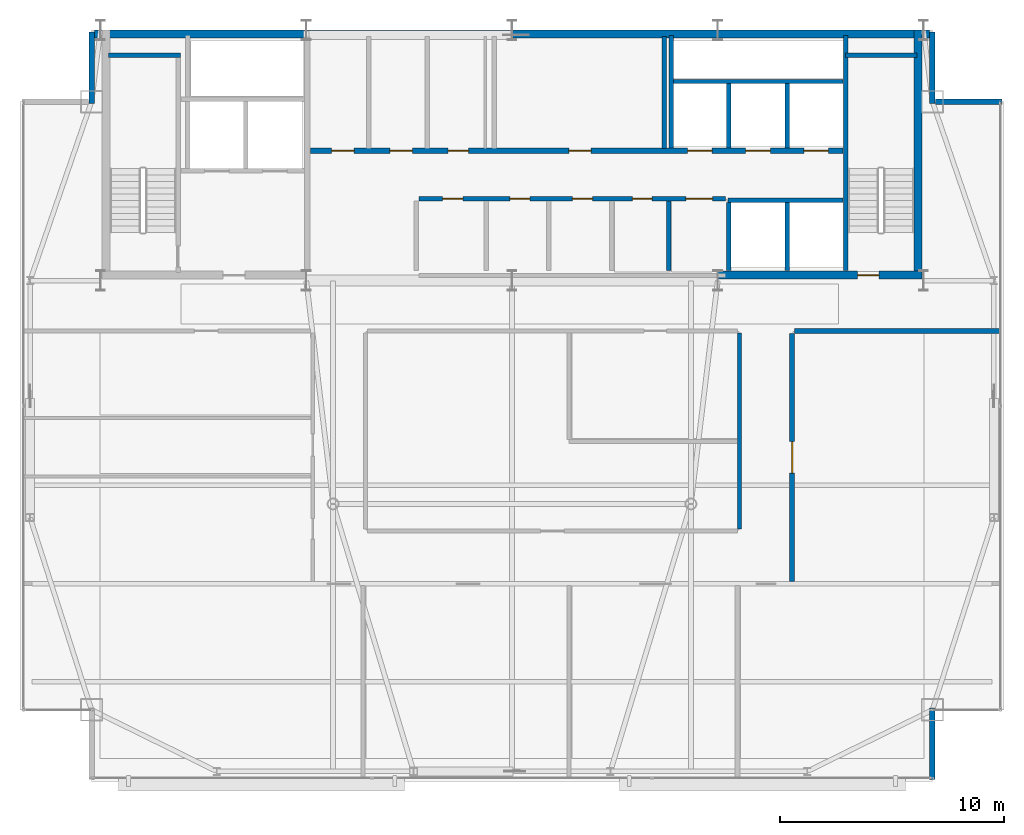
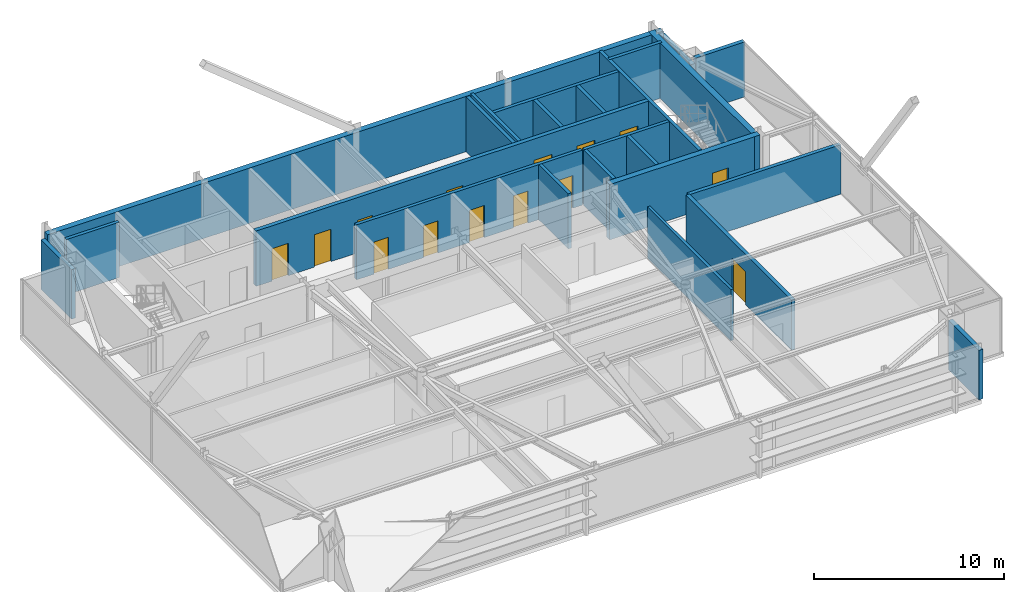
# One storey, part 22 of 24: 24 walls, 14 doors, 14 openings.
"""IFC4 building model written with IfcOpenShell, lengths in metres."""

from ifc_helpers import new_model, si_unit, direction, frame, frame_2d, origin, place, context, subcontext, project, spatial, rectangle, extrude, source, transform, mapped, material, layer, layer_set, type_object, type_shapes, element, fill, save


model = new_model("IFC4")

# Units and contexts
model_context = context("Model", 3, precision=1e-05, world=origin(), true_north=direction((0.0, 1.0)))
body_context = subcontext(model_context, "Body", "Model", "MODEL_VIEW")
ifc_project = project(units=[si_unit("LENGTHUNIT", "METRE"), si_unit("AREAUNIT", "SQUARE_METRE"), si_unit("VOLUMEUNIT", "CUBIC_METRE"), si_unit("PLANEANGLEUNIT", "RADIAN"), si_unit("MASSUNIT", "GRAM", prefix="KILO")], contexts=[model_context])

# Site, building, storey
site_placement = place(None, origin())
site = spatial("IfcSite", under=ifc_project, at=site_placement, CompositionType="ELEMENT")
building_placement = place(site_placement, origin())
building = spatial("IfcBuilding", under=site, at=building_placement, Name="Varnel Quay Broadcast Tower", CompositionType="ELEMENT")
storey_placement = place(building_placement, frame((0.0, 0.0, 262.199951171875)))
storey = spatial("IfcBuildingStorey", under=building, at=storey_placement, Name="L65", CompositionType="ELEMENT", Elevation=262.199951171875)

# Walls
ifc_material_1 = material(Name="Concrete CSA A23.3 C50/60", Category="concrete")
ifc_layer_1 = layer(ifc_material_1, 0.199951171875, Name="Concrete CSA A23.3 C50/60")
ifc_layer_set_1 = layer_set([ifc_layer_1], Name="Concrete CSA A23.3 C50/60")
wall_type_1 = type_object("IfcWallType", Name="Wall_CoreShaftShear200", PredefinedType="SHEAR", material=ifc_layer_set_1)
wall_1_placement = place(storey_placement, frame((15.949951171875, 45.679931640625, 0.0), z_axis=(0.0, 0.0, 1.0), x_axis=(1.0, 0.0, 0.0)))
element("IfcWall", 1, at=wall_1_placement, inside=storey, type_object=wall_type_1, Name="L65 Stair 1 North Structural Wall", PredefinedType="SHEAR", context=body_context, shape_type="SweptSolid", body=[
    extrude(rectangle(XDim=3.22998046875, YDim=0.199951171875, at=frame_2d((1.614990234375, 0.0))), origin(), (0.0, 0.0, 1.0), 3.550048828125),
])
wall_2_placement = place(storey_placement, frame((48.919921875, 36.050048828125, 0.0), z_axis=(0.0, 0.0, 1.0), x_axis=(0.0, 1.0, 0.0)))
element("IfcWall", 2, at=wall_2_placement, inside=storey, type_object=wall_type_1, Name="L65 Stair 2 West Structural Wall", PredefinedType="SHEAR", context=body_context, shape_type="SweptSolid", body=[
    extrude(rectangle(XDim=10.5, YDim=0.199951171875, at=frame_2d((5.25, 0.0))), origin(), (0.0, 0.0, 1.0), 3.550048828125),
])
wall_3_placement = place(storey_placement, frame((48.919921875, 45.679931640625, 0.0), z_axis=(0.0, 0.0, 1.0), x_axis=(1.0, 0.0, 0.0)))
element("IfcWall", 3, at=wall_3_placement, inside=storey, type_object=wall_type_1, Name="L65 Stair 2 North Structural Wall", PredefinedType="SHEAR", context=body_context, shape_type="SweptSolid", body=[
    extrude(rectangle(XDim=3.18017578125, YDim=0.199951171875, at=frame_2d((1.590087890625, 0.0))), origin(), (0.0, 0.0, 1.0), 3.550048828125),
])
wall_4_placement = place(storey_placement, frame((41.219970703125, 44.5, 0.0), z_axis=(0.0, 0.0, 1.0), x_axis=(1.0, 0.0, 0.0)))
element("IfcWall", 4, at=wall_4_placement, inside=storey, type_object=wall_type_1, Name="L65 High-Rise Lift Shaft Rear Wall", PredefinedType="SHEAR", context=body_context, shape_type="SweptSolid", body=[
    extrude(rectangle(XDim=7.580078125, YDim=0.199951171875, at=frame_2d((3.7900390625, 0.0))), origin(), (0.0, 0.0, 1.0), 3.550048828125),
])
wall_5_placement = place(storey_placement, frame((41.1201171875, 41.530029296875, 0.0), z_axis=(0.0, 0.0, 1.0), x_axis=(0.0, 1.0, 0.0)))
element("IfcWall", 5, at=wall_5_placement, inside=storey, type_object=wall_type_1, Name="L65 High-Rise Lift Shaft Divider 1", PredefinedType="SHEAR", context=body_context, shape_type="SweptSolid", body=[
    extrude(rectangle(XDim=5.02001953125, YDim=0.199951171875, at=frame_2d((2.510009765625, 0.0))), origin(), (0.0, 0.0, 1.0), 3.550048828125),
])
for number, where, z_axis, x_axis, name in (
    (6, (43.699951171875, 41.530029296875, 0.0), (0.0, 0.0, 1.0), (0.0, 1.0, 0.0), "L65 High-Rise Lift Shaft Divider 2"),
    (7, (46.300048828125, 41.530029296875, 0.0), (0.0, 0.0, 1.0), (0.0, 1.0, 0.0), "L65 High-Rise Lift Shaft Divider 3"),
):
    element("IfcWall", number, at=place(storey_placement, frame(where, z_axis=z_axis, x_axis=x_axis)), inside=storey, type_object=wall_type_1, Name=name, PredefinedType="SHEAR", context=body_context, shape_type="SweptSolid", body=[
        extrude(rectangle(XDim=2.869873046875, YDim=0.199951171875, at=frame_2d((1.43505859375, 0.0))), origin(), (0.0, 0.0, 1.0), 3.550048828125),
    ])
for number, where, z_axis, x_axis, name in (
    (8, (43.699951171875, 36.050048828125, 0.0), (0.0, 0.0, 1.0), (0.0, 1.0, 0.0), "L65 Express Lift Shaft West Wall"),
    (9, (46.300048828125, 36.050048828125, 0.0), (0.0, 0.0, 1.0), (0.0, 1.0, 0.0), "L65 Express Lift Shaft Divider"),
):
    element("IfcWall", number, at=place(storey_placement, frame(where, z_axis=z_axis, x_axis=x_axis)), inside=storey, type_object=wall_type_1, Name=name, PredefinedType="SHEAR", context=body_context, shape_type="SweptSolid", body=[
        extrude(rectangle(XDim=3.050048828125, YDim=0.199951171875, at=frame_2d((1.52490234375, 0.0))), origin(), (0.0, 0.0, 1.0), 3.550048828125),
    ])
wall_6_placement = place(storey_placement, frame((43.64990234375, 39.199951171875, 0.0), z_axis=(0.0, 0.0, 1.0), x_axis=(1.0, 0.0, 0.0)))
element("IfcWall", 10, at=wall_6_placement, inside=storey, type_object=wall_type_1, Name="L65 Express Lift Shaft North Front Wall", PredefinedType="SHEAR", context=body_context, shape_type="SweptSolid", body=[
    extrude(rectangle(XDim=5.150146484375, YDim=0.199951171875, at=frame_2d((2.5751953125, 0.0))), origin(), (0.0, 0.0, 1.0), 3.550048828125),
])

# Wall, openings, doors
ifc_layer_2 = layer(ifc_material_1, 0.25, Name="Concrete CSA A23.3 C50/60")
ifc_layer_set_2 = layer_set([ifc_layer_2], Name="Concrete CSA A23.3 C50/60")
wall_type_2 = type_object("IfcWallType", Name="Wall_CoreShaftShear250", PredefinedType="SHEAR", material=ifc_layer_set_2)
wall_7_placement = place(storey_placement, frame((24.97998046875, 41.39990234375, 0.0), z_axis=(0.0, 0.0, 1.0), x_axis=(1.0, 0.0, 0.0)))
wall_7 = element("IfcWall", 11, at=wall_7_placement, inside=storey, type_object=wall_type_2, Name="L65 North Lift Bank & Reclaimed Suite Wall", PredefinedType="SHEAR", context=body_context, shape_type="SweptSolid", body=[
    extrude(rectangle(XDim=23.820068359375, YDim=0.25, at=frame_2d((11.91015625, 0.0))), origin(), (0.0, 0.0, 1.0), 3.550048828125),
])
opening_1_placement = place(wall_7_placement, frame((16.8701171875, 0.0, 0.0)))
opening_1 = element("IfcOpeningElement", 12, at=opening_1_placement, cuts=wall_7, Name="Opening LD-L65-PH-01", PredefinedType="OPENING", context=body_context, shape_type="SweptSolid", body=[
    extrude(rectangle(XDim=1.10009765625, YDim=2.179931640625, at=frame_2d((0.550048828125, 1.08984375))), frame((0.0, 0.135009765625, 0.0), z_axis=(0.0, -1.0, 0.0), x_axis=(1.0, 0.0, 0.0)), (0.0, 0.0, 1.0), 0.27001953125),
])
opening_2_placement = place(wall_7_placement, frame((19.469970703125, 0.0, 0.0)))
opening_2 = element("IfcOpeningElement", 13, at=opening_2_placement, cuts=wall_7, Name="Opening LD-L65-PH-02", PredefinedType="OPENING", context=body_context, shape_type="SweptSolid", body=[
    extrude(rectangle(XDim=1.10009765625, YDim=2.179931640625, at=frame_2d((0.550048828125, 1.08984375))), frame((0.0, 0.135009765625, 0.0), z_axis=(0.0, -1.0, 0.0), x_axis=(1.0, 0.0, 0.0)), (0.0, 0.0, 1.0), 0.27001953125),
])
opening_3_placement = place(wall_7_placement, frame((22.070068359375, 0.0, 0.0)))
opening_3 = element("IfcOpeningElement", 14, at=opening_3_placement, cuts=wall_7, Name="Opening LD-L65-PH-03", PredefinedType="OPENING", context=body_context, shape_type="SweptSolid", body=[
    extrude(rectangle(XDim=1.10009765625, YDim=2.179931640625, at=frame_2d((0.550048828125, 1.08984375))), frame((0.0, 0.135009765625, 0.0), z_axis=(0.0, -1.0, 0.0), x_axis=(1.0, 0.0, 0.0)), (0.0, 0.0, 1.0), 0.27001953125),
])
opening_4_placement = place(wall_7_placement, frame((0.9599609375, 0.0, 0.0)))
opening_4 = element("IfcOpeningElement", 15, at=opening_4_placement, cuts=wall_7, Name="Opening D-L65-RECA1", PredefinedType="OPENING", context=body_context, shape_type="SweptSolid", body=[
    extrude(rectangle(XDim=1.0, YDim=2.080078125, at=frame_2d((0.5, 1.0400390625))), frame((0.0, 0.135009765625, 0.0), z_axis=(0.0, -1.0, 0.0), x_axis=(1.0, 0.0, 0.0)), (0.0, 0.0, 1.0), 0.27001953125),
])
opening_5_placement = place(wall_7_placement, frame((3.56005859375, 0.0, 0.0)))
opening_5 = element("IfcOpeningElement", 16, at=opening_5_placement, cuts=wall_7, Name="Opening D-L65-RECA2", PredefinedType="OPENING", context=body_context, shape_type="SweptSolid", body=[
    extrude(rectangle(XDim=1.0, YDim=2.080078125, at=frame_2d((0.5, 1.0400390625))), frame((0.0, 0.135009765625, 0.0), z_axis=(0.0, -1.0, 0.0), x_axis=(1.0, 0.0, 0.0)), (0.0, 0.0, 1.0), 0.27001953125),
])
opening_6_placement = place(wall_7_placement, frame((6.159912109375, 0.0, 0.0)))
opening_6 = element("IfcOpeningElement", 17, at=opening_6_placement, cuts=wall_7, Name="Opening D-L65-RECA3", PredefinedType="OPENING", context=body_context, shape_type="SweptSolid", body=[
    extrude(rectangle(XDim=0.919921875, YDim=2.080078125, at=frame_2d((0.4599609375, 1.0400390625))), frame((0.0, 0.135009765625, 0.0), z_axis=(0.0, -1.0, 0.0), x_axis=(1.0, 0.0, 0.0)), (0.0, 0.0, 1.0), 0.27001953125),
])
opening_7_placement = place(wall_7_placement, frame((11.56005859375, 0.0, 0.0)))
opening_7 = element("IfcOpeningElement", 18, at=opening_7_placement, cuts=wall_7, Name="Opening D-L65-RECB1", PredefinedType="OPENING", context=body_context, shape_type="SweptSolid", body=[
    extrude(rectangle(XDim=1.0, YDim=2.080078125, at=frame_2d((0.5, 1.0400390625))), frame((0.0, 0.135009765625, 0.0), z_axis=(0.0, -1.0, 0.0), x_axis=(1.0, 0.0, 0.0)), (0.0, 0.0, 1.0), 0.27001953125),
])
ifc_material_2 = material(Name="Brushed Bronze-Stainless Lift Car & Sliding Doors", Category="steel")
door_type_1 = type_object("IfcDoorType", Name="Door_LiftLanding1100", OperationType="SLIDING_TO_LEFT", PredefinedType="DOOR", material=ifc_material_2)
shared_shape_1 = source(origin(), body_context, "Body", "SweptSolid", [
    extrude(rectangle(XDim=1.10009765625, YDim=2.179931640625, at=frame_2d((0.550048828125, 1.08984375))), frame((0.0, 0.02490234375, 0.0), z_axis=(0.0, -1.0, 0.0), x_axis=(1.0, 0.0, 0.0)), (0.0, 0.0, 1.0), 0.050048828125),
])
type_shapes(door_type_1, [shared_shape_1])
door_1_placement = place(opening_1_placement, frame((1.10009765625, 0.0, 0.0), z_axis=(0.0, 0.0, 1.0), x_axis=(-1.0, 0.0, 0.0)))
door_1 = element("IfcDoor", 19, at=door_1_placement, inside=storey, type_object=door_type_1, Name="L65 Lift PH-01 Landing Door", OperationType="SLIDING_TO_LEFT", OverallHeight=2.179931640625, OverallWidth=1.10009765625, PredefinedType="DOOR", context=body_context, shape_type="MappedRepresentation", body=[
    mapped(shared_shape_1, transform((0.0, 0.0, 0.0), x_axis=(1.0, 0.0, 0.0), y_axis=(0.0, 1.0, 0.0), z_axis=(0.0, 0.0, 1.0), scale=1.0)),
])
fill(opening_1, door_1)
door_2_placement = place(opening_2_placement, frame((1.10009765625, 0.0, 0.0), z_axis=(0.0, 0.0, 1.0), x_axis=(-1.0, 0.0, 0.0)))
door_2 = element("IfcDoor", 20, at=door_2_placement, inside=storey, type_object=door_type_1, Name="L65 Lift PH-02 Landing Door", OperationType="SLIDING_TO_LEFT", OverallHeight=2.179931640625, OverallWidth=1.10009765625, PredefinedType="DOOR", context=body_context, shape_type="MappedRepresentation", body=[
    mapped(shared_shape_1, transform((0.0, 0.0, 0.0), x_axis=(1.0, 0.0, 0.0), y_axis=(0.0, 1.0, 0.0), z_axis=(0.0, 0.0, 1.0), scale=1.0)),
])
fill(opening_2, door_2)
door_3_placement = place(opening_3_placement, frame((1.10009765625, 0.0, 0.0), z_axis=(0.0, 0.0, 1.0), x_axis=(-1.0, 0.0, 0.0)))
door_3 = element("IfcDoor", 21, at=door_3_placement, inside=storey, type_object=door_type_1, Name="L65 Lift PH-03 Landing Door", OperationType="SLIDING_TO_LEFT", OverallHeight=2.179931640625, OverallWidth=1.10009765625, PredefinedType="DOOR", context=body_context, shape_type="MappedRepresentation", body=[
    mapped(shared_shape_1, transform((0.0, 0.0, 0.0), x_axis=(1.0, 0.0, 0.0), y_axis=(0.0, 1.0, 0.0), z_axis=(0.0, 0.0, 1.0), scale=1.0)),
])
fill(opening_3, door_3)
ifc_material_3 = material(Name="Insulated Fire-Rated Hollow Steel Door", Category="steel")
door_type_2 = type_object("IfcDoorType", Name="Door_FireLobby1000", OperationType="NOTDEFINED", PredefinedType="DOOR", material=ifc_material_3)
shared_shape_2 = source(origin(), body_context, "Body", "SweptSolid", [
    extrude(rectangle(XDim=1.0, YDim=2.080078125, at=frame_2d((0.5, 1.0400390625))), frame((0.0, 0.02490234375, 0.0), z_axis=(0.0, -1.0, 0.0), x_axis=(1.0, 0.0, 0.0)), (0.0, 0.0, 1.0), 0.050048828125),
])
type_shapes(door_type_2, [shared_shape_2])
door_4_placement = place(opening_4_placement, origin())
door_4 = element("IfcDoor", 22, at=door_4_placement, inside=storey, type_object=door_type_2, Name="L65 Ingest Rack Bay A Door", OperationType="SINGLE_SWING_RIGHT", OverallHeight=2.080078125, OverallWidth=1.0, PredefinedType="DOOR", context=body_context, shape_type="MappedRepresentation", body=[
    mapped(shared_shape_2, transform((0.0, 0.0, 0.0), x_axis=(1.0, 0.0, 0.0), y_axis=(0.0, 1.0, 0.0), z_axis=(0.0, 0.0, 1.0), scale=1.0)),
])
fill(opening_4, door_4)
door_5_placement = place(opening_5_placement, origin())
door_5 = element("IfcDoor", 23, at=door_5_placement, inside=storey, type_object=door_type_2, Name="L65 Fiber Patch Bay Door", OperationType="SINGLE_SWING_LEFT", OverallHeight=2.080078125, OverallWidth=1.0, PredefinedType="DOOR", context=body_context, shape_type="MappedRepresentation", body=[
    mapped(shared_shape_2, transform((0.0, 0.0, 0.0), x_axis=(1.0, 0.0, 0.0), y_axis=(0.0, 1.0, 0.0), z_axis=(0.0, 0.0, 1.0), scale=1.0)),
])
fill(opening_5, door_5)
door_6_placement = place(opening_7_placement, origin())
door_6 = element("IfcDoor", 24, at=door_6_placement, inside=storey, type_object=door_type_2, Name="L65 High-Zone Broadcast Rack Hall Door", OperationType="SINGLE_SWING_LEFT", OverallHeight=2.080078125, OverallWidth=1.0, PredefinedType="DOOR", context=body_context, shape_type="MappedRepresentation", body=[
    mapped(shared_shape_2, transform((0.0, 0.0, 0.0), x_axis=(1.0, 0.0, 0.0), y_axis=(0.0, 1.0, 0.0), z_axis=(0.0, 0.0, 1.0), scale=1.0)),
])
fill(opening_7, door_6)
ifc_material_4 = material(Name="Solid-Core Fire-Rated Acoustic Oak Veneer Door", Category="wood")
door_type_3 = type_object("IfcDoorType", Name="Door_Office920", OperationType="NOTDEFINED", PredefinedType="DOOR", material=ifc_material_4)
shared_shape_3 = source(origin(), body_context, "Body", "SweptSolid", [
    extrude(rectangle(XDim=0.919921875, YDim=2.080078125, at=frame_2d((0.4599609375, 1.0400390625))), frame((0.0, 0.02490234375, 0.0), z_axis=(0.0, -1.0, 0.0), x_axis=(1.0, 0.0, 0.0)), (0.0, 0.0, 1.0), 0.050048828125),
])
type_shapes(door_type_3, [shared_shape_3])
door_7_placement = place(opening_6_placement, origin())
door_7 = element("IfcDoor", 25, at=door_7_placement, inside=storey, type_object=door_type_3, Name="L65 Telemetry Store Door", OperationType="SINGLE_SWING_RIGHT", OverallHeight=2.080078125, OverallWidth=0.919921875, PredefinedType="DOOR", context=body_context, shape_type="MappedRepresentation", body=[
    mapped(shared_shape_3, transform((0.0, 0.0, 0.0), x_axis=(1.0, 0.0, 0.0), y_axis=(0.0, 1.0, 0.0), z_axis=(0.0, 0.0, 1.0), scale=1.0)),
])
fill(opening_6, door_7)

# Walls
ifc_layer_3 = layer(ifc_material_1, 0.35009765625, Name="Concrete CSA A23.3 C50/60")
ifc_layer_set_3 = layer_set([ifc_layer_3], Name="Concrete CSA A23.3 C50/60")
wall_type_3 = type_object("IfcWallType", Name="Wall_CoreShearExt350", PredefinedType="SHEAR", material=ifc_layer_set_3)
wall_8_placement = place(storey_placement, frame((15.324951171875, 46.625, 0.0), z_axis=(0.0, 0.0, 1.0), x_axis=(1.0, 0.0, 0.0)))
element("IfcWall", 26, at=wall_8_placement, inside=storey, type_object=wall_type_3, Name="L65 North Core Shear Wall", PredefinedType="SHEAR", context=body_context, shape_type="SweptSolid", body=[
    extrude(rectangle(XDim=37.35009765625, YDim=0.35009765625, at=frame_2d((18.675048828125, 0.0))), origin(), (0.0, 0.0, 1.0), 3.550048828125),
])
ifc_layer_4 = layer(ifc_material_1, 0.35009765625, Name="Concrete CSA A23.3 C50/60")
ifc_layer_set_4 = layer_set([ifc_layer_4], Name="Concrete CSA A23.3 C50/60")
wall_type_4 = type_object("IfcWallType", Name="Wall_CoreShearInt350", PredefinedType="SHEAR", material=ifc_layer_set_4)
wall_9_placement = place(storey_placement, frame((52.155029296875, 35.669921875, 0.0), z_axis=(0.0, 0.0, 1.0), x_axis=(0.0, 1.0, 0.0)))
element("IfcWall", 27, at=wall_9_placement, inside=storey, type_object=wall_type_4, Name="L65 East Core Shear Wall", PredefinedType="SHEAR", context=body_context, shape_type="SweptSolid", body=[
    extrude(rectangle(XDim=11.130126953125, YDim=0.35009765625, at=frame_2d((5.56494140625, 0.0))), origin(), (0.0, 0.0, 1.0), 3.550048828125),
])

# Wall, opening, door
wall_10_placement = place(storey_placement, frame((43.199951171875, 35.844970703125, 0.0), z_axis=(0.0, 0.0, 1.0), x_axis=(1.0, 0.0, 0.0)))
wall_10 = element("IfcWall", 28, at=wall_10_placement, inside=storey, type_object=wall_type_4, Name="L65 South-East Core Shear Wall", PredefinedType="SHEAR", context=body_context, shape_type="SweptSolid", body=[
    extrude(rectangle(XDim=9.130126953125, YDim=0.35009765625, at=frame_2d((4.56494140625, 0.0))), origin(), (0.0, 0.0, 1.0), 3.550048828125),
])
opening_8_placement = place(wall_10_placement, frame((6.25, 0.0, 0.0)))
opening_8 = element("IfcOpeningElement", 29, at=opening_8_placement, cuts=wall_10, Name="Opening D-L65-S2", PredefinedType="OPENING", context=body_context, shape_type="SweptSolid", body=[
    extrude(rectangle(XDim=0.949951171875, YDim=2.10009765625, at=frame_2d((0.47509765625, 1.050048828125))), frame((0.0, 0.18505859375, 0.0), z_axis=(0.0, -1.0, 0.0), x_axis=(1.0, 0.0, 0.0)), (0.0, 0.0, 1.0), 0.3701171875),
])
door_type_4 = type_object("IfcDoorType", Name="Door_FireStair950", OperationType="NOTDEFINED", PredefinedType="DOOR", material=ifc_material_3)
shared_shape_4 = source(origin(), body_context, "Body", "SweptSolid", [
    extrude(rectangle(XDim=0.949951171875, YDim=2.10009765625, at=frame_2d((0.47509765625, 1.050048828125))), frame((0.0, 0.02490234375, 0.0), z_axis=(0.0, -1.0, 0.0), x_axis=(1.0, 0.0, 0.0)), (0.0, 0.0, 1.0), 0.050048828125),
])
type_shapes(door_type_4, [shared_shape_4])
door_8_placement = place(opening_8_placement, origin())
door_8 = element("IfcDoor", 30, at=door_8_placement, inside=storey, type_object=door_type_4, Name="L65 Stair 2 Fire Door", OperationType="SINGLE_SWING_LEFT", OverallHeight=2.10009765625, OverallWidth=0.949951171875, PredefinedType="DOOR", context=body_context, shape_type="MappedRepresentation", body=[
    mapped(shared_shape_4, transform((0.0, 0.0, 0.0), x_axis=(1.0, 0.0, 0.0), y_axis=(0.0, 1.0, 0.0), z_axis=(0.0, 0.0, 1.0), scale=1.0)),
])
fill(opening_8, door_8)

# Walls
ifc_material_5 = material(Name="Precast Architectural Concrete C40/50", Category="concrete")
ifc_layer_5 = layer(ifc_material_5, 0.25, Name="Precast Architectural Concrete C40/50")
ifc_layer_set_5 = layer_set([ifc_layer_5], Name="Precast Architectural Concrete C40/50")
wall_type_5 = type_object("IfcWallType", Name="Wall_ExtTerrace250", PredefinedType="SOLIDWALL", material=ifc_layer_set_5)
for number, where, z_axis, x_axis, name in (
    (31, (52.800048828125, 13.280029296875, 0.0), (0.0, 0.0, 1.0), (0.0, 1.0, 0.0), "L65 Mega-Column Notch Cladding Wall NSE2"),
    (32, (15.199951171875, 43.52001953125, 0.0), (0.0, 0.0, 1.0), (0.0, 1.0, 0.0), "L65 Mega-Column Notch Cladding Wall NNW2"),
):
    element("IfcWall", number, at=place(storey_placement, frame(where, z_axis=z_axis, x_axis=x_axis)), inside=storey, type_object=wall_type_5, Name=name, PredefinedType="SOLIDWALL", context=body_context, shape_type="SweptSolid", body=[
        extrude(rectangle(XDim=3.199951171875, YDim=0.25, at=frame_2d((1.60009765625, 0.0))), origin(), (0.0, 0.0, 1.0), 3.171142578125),
    ])
wall_11_placement = place(storey_placement, frame((52.929931640625, 43.60009765625, 0.0), z_axis=(0.0, 0.0, 1.0), x_axis=(1.0, 0.0, 0.0)))
element("IfcWall", 33, at=wall_11_placement, inside=storey, type_object=wall_type_5, Name="L65 Mega-Column Notch Cladding Wall NNE1", PredefinedType="SOLIDWALL", context=body_context, shape_type="SweptSolid", body=[
    extrude(rectangle(XDim=2.989990234375, YDim=0.25, at=frame_2d((1.4951171875, 0.0))), origin(), (0.0, 0.0, 1.0), 3.530029296875),
])
wall_12_placement = place(storey_placement, frame((52.800048828125, 43.52001953125, 0.0), z_axis=(0.0, 0.0, 1.0), x_axis=(0.0, 1.0, 0.0)))
element("IfcWall", 34, at=wall_12_placement, inside=storey, type_object=wall_type_5, Name="L65 Mega-Column Notch Cladding Wall NNE2", PredefinedType="SOLIDWALL", context=body_context, shape_type="SweptSolid", body=[
    extrude(rectangle(XDim=3.199951171875, YDim=0.25, at=frame_2d((1.60009765625, 0.0))), origin(), (0.0, 0.0, 1.0), 3.171142578125),
])

# Wall, openings, doors
ifc_material_6 = material(Name="Concrete Blockwork Fire Enclosure C40/50", Category="masonry")
ifc_layer_6 = layer(ifc_material_6, 0.199951171875, Name="Concrete Blockwork Fire Enclosure C40/50")
ifc_layer_set_6 = layer_set([ifc_layer_6], Name="Concrete Blockwork Fire Enclosure C40/50")
wall_type_6 = type_object("IfcWallType", Name="Wall_FireShaft200", PredefinedType="SOLIDWALL", material=ifc_layer_set_6)
wall_13_placement = place(storey_placement, frame((29.85009765625, 39.25, 0.0), z_axis=(0.0, 0.0, 1.0), x_axis=(1.0, 0.0, 0.0)))
wall_13 = element("IfcWall", 35, at=wall_13_placement, inside=storey, type_object=wall_type_6, Name="L65 Accessible Washroom Partition 3", PredefinedType="SOLIDWALL", context=body_context, shape_type="SweptSolid", body=[
    extrude(rectangle(XDim=13.699951171875, YDim=0.199951171875, at=frame_2d((6.85009765625, 0.0))), origin(), (0.0, 0.0, 1.0), 3.530029296875),
])
opening_9_placement = place(wall_13_placement, frame((1.050048828125, 0.0, 0.0)))
opening_9 = element("IfcOpeningElement", 36, at=opening_9_placement, cuts=wall_13, Name="Opening D-L65-01", PredefinedType="OPENING", context=body_context, shape_type="SweptSolid", body=[
    extrude(rectangle(XDim=0.89990234375, YDim=2.06005859375, at=frame_2d((0.449951171875, 1.030029296875))), frame((0.0, 0.10986328125, 0.0), z_axis=(0.0, -1.0, 0.0), x_axis=(1.0, 0.0, 0.0)), (0.0, 0.0, 1.0), 0.219970703125),
])
opening_10_placement = place(wall_13_placement, frame((4.050048828125, 0.0, 0.0)))
opening_10 = element("IfcOpeningElement", 37, at=opening_10_placement, cuts=wall_13, Name="Opening D-L65-02", PredefinedType="OPENING", context=body_context, shape_type="SweptSolid", body=[
    extrude(rectangle(XDim=0.89990234375, YDim=2.06005859375, at=frame_2d((0.449951171875, 1.030029296875))), frame((0.0, 0.10986328125, 0.0), z_axis=(0.0, -1.0, 0.0), x_axis=(1.0, 0.0, 0.0)), (0.0, 0.0, 1.0), 0.219970703125),
])
opening_11_placement = place(wall_13_placement, frame((6.85009765625, 0.0, 0.0)))
opening_11 = element("IfcOpeningElement", 38, at=opening_11_placement, cuts=wall_13, Name="Opening D-L65-03", PredefinedType="OPENING", context=body_context, shape_type="SweptSolid", body=[
    extrude(rectangle(XDim=0.89990234375, YDim=2.06005859375, at=frame_2d((0.449951171875, 1.030029296875))), frame((0.0, 0.10986328125, 0.0), z_axis=(0.0, -1.0, 0.0), x_axis=(1.0, 0.0, 0.0)), (0.0, 0.0, 1.0), 0.219970703125),
])
opening_12_placement = place(wall_13_placement, frame((9.534912109375, 0.0, 0.0)))
opening_12 = element("IfcOpeningElement", 39, at=opening_12_placement, cuts=wall_13, Name="Opening D-L65-04", PredefinedType="OPENING", context=body_context, shape_type="SweptSolid", body=[
    extrude(rectangle(XDim=0.8798828125, YDim=2.06005859375, at=frame_2d((0.43994140625, 1.030029296875))), frame((0.0, 0.10986328125, 0.0), z_axis=(0.0, -1.0, 0.0), x_axis=(1.0, 0.0, 0.0)), (0.0, 0.0, 1.0), 0.219970703125),
])
opening_13_placement = place(wall_13_placement, frame((11.925048828125, 0.0, 0.0)))
opening_13 = element("IfcOpeningElement", 40, at=opening_13_placement, cuts=wall_13, Name="Opening D-L65-05", PredefinedType="OPENING", context=body_context, shape_type="SweptSolid", body=[
    extrude(rectangle(XDim=1.199951171875, YDim=2.10009765625, at=frame_2d((0.60009765625, 1.050048828125))), frame((0.0, 0.10986328125, 0.0), z_axis=(0.0, -1.0, 0.0), x_axis=(1.0, 0.0, 0.0)), (0.0, 0.0, 1.0), 0.219970703125),
])
door_type_5 = type_object("IfcDoorType", Name="Door_Washroom900", OperationType="NOTDEFINED", PredefinedType="DOOR", material=ifc_material_4)
shared_shape_5 = source(origin(), body_context, "Body", "SweptSolid", [
    extrude(rectangle(XDim=0.89990234375, YDim=2.06005859375, at=frame_2d((0.449951171875, 1.030029296875))), frame((0.0, 0.02490234375, 0.0), z_axis=(0.0, -1.0, 0.0), x_axis=(1.0, 0.0, 0.0)), (0.0, 0.0, 1.0), 0.050048828125),
])
type_shapes(door_type_5, [shared_shape_5])
door_9_placement = place(opening_9_placement, frame((0.89990234375, 0.0, 0.0), z_axis=(0.0, 0.0, 1.0), x_axis=(-1.0, 0.0, 0.0)))
door_9 = element("IfcDoor", 41, at=door_9_placement, inside=storey, type_object=door_type_5, Name="L65 Accessible Washroom Door D-L65-01", OperationType="SINGLE_SWING_RIGHT", OverallHeight=2.06005859375, OverallWidth=0.89990234375, PredefinedType="DOOR", context=body_context, shape_type="MappedRepresentation", body=[
    mapped(shared_shape_5, transform((0.0, 0.0, 0.0), x_axis=(1.0, 0.0, 0.0), y_axis=(0.0, 1.0, 0.0), z_axis=(0.0, 0.0, 1.0), scale=1.0)),
])
fill(opening_9, door_9)
door_10_placement = place(opening_10_placement, frame((0.89990234375, 0.0, 0.0), z_axis=(0.0, 0.0, 1.0), x_axis=(-1.0, 0.0, 0.0)))
door_10 = element("IfcDoor", 42, at=door_10_placement, inside=storey, type_object=door_type_5, Name="L65 West Gender-Neutral Washroom Door D-L65-02", OperationType="SINGLE_SWING_LEFT", OverallHeight=2.06005859375, OverallWidth=0.89990234375, PredefinedType="DOOR", context=body_context, shape_type="MappedRepresentation", body=[
    mapped(shared_shape_5, transform((0.0, 0.0, 0.0), x_axis=(1.0, 0.0, 0.0), y_axis=(0.0, 1.0, 0.0), z_axis=(0.0, 0.0, 1.0), scale=1.0)),
])
fill(opening_10, door_10)
door_11_placement = place(opening_11_placement, frame((0.89990234375, 0.0, 0.0), z_axis=(0.0, 0.0, 1.0), x_axis=(-1.0, 0.0, 0.0)))
door_11 = element("IfcDoor", 43, at=door_11_placement, inside=storey, type_object=door_type_5, Name="L65 East Staff Washroom Door D-L65-03", OperationType="SINGLE_SWING_RIGHT", OverallHeight=2.06005859375, OverallWidth=0.89990234375, PredefinedType="DOOR", context=body_context, shape_type="MappedRepresentation", body=[
    mapped(shared_shape_5, transform((0.0, 0.0, 0.0), x_axis=(1.0, 0.0, 0.0), y_axis=(0.0, 1.0, 0.0), z_axis=(0.0, 0.0, 1.0), scale=1.0)),
])
fill(opening_11, door_11)
door_type_6 = type_object("IfcDoorType", Name="Door_Plant1200", OperationType="NOTDEFINED", PredefinedType="DOOR", material=ifc_material_3)
shared_shape_6 = source(origin(), body_context, "Body", "SweptSolid", [
    extrude(rectangle(XDim=1.199951171875, YDim=2.10009765625, at=frame_2d((0.60009765625, 1.050048828125))), frame((0.0, 0.02490234375, 0.0), z_axis=(0.0, -1.0, 0.0), x_axis=(1.0, 0.0, 0.0)), (0.0, 0.0, 1.0), 0.050048828125),
])
type_shapes(door_type_6, [shared_shape_6])
door_12_placement = place(opening_13_placement, origin())
door_12 = element("IfcDoor", 44, at=door_12_placement, inside=storey, type_object=door_type_6, Name="L65 Telecom IDF Closet Door D-L65-05", OperationType="SINGLE_SWING_RIGHT", OverallHeight=2.10009765625, OverallWidth=1.199951171875, PredefinedType="DOOR", context=body_context, shape_type="MappedRepresentation", body=[
    mapped(shared_shape_6, transform((0.0, 0.0, 0.0), x_axis=(1.0, 0.0, 0.0), y_axis=(0.0, 1.0, 0.0), z_axis=(0.0, 0.0, 1.0), scale=1.0)),
])
fill(opening_13, door_12)
door_type_7 = type_object("IfcDoorType", Name="Door_Booth880", OperationType="NOTDEFINED", PredefinedType="DOOR", material=ifc_material_4)
shared_shape_7 = source(origin(), body_context, "Body", "SweptSolid", [
    extrude(rectangle(XDim=0.8798828125, YDim=2.06005859375, at=frame_2d((0.43994140625, 1.030029296875))), frame((0.0, 0.02490234375, 0.0), z_axis=(0.0, -1.0, 0.0), x_axis=(1.0, 0.0, 0.0)), (0.0, 0.0, 1.0), 0.050048828125),
])
type_shapes(door_type_7, [shared_shape_7])
door_13_placement = place(opening_12_placement, frame((0.8798828125, 0.0, 0.0), z_axis=(0.0, 0.0, 1.0), x_axis=(-1.0, 0.0, 0.0)))
door_13 = element("IfcDoor", 45, at=door_13_placement, inside=storey, type_object=door_type_7, Name="L65 Cleaners' & Linen Store Door D-L65-04", OperationType="SINGLE_SWING_LEFT", OverallHeight=2.06005859375, OverallWidth=0.8798828125, PredefinedType="DOOR", context=body_context, shape_type="MappedRepresentation", body=[
    mapped(shared_shape_7, transform((0.0, 0.0, 0.0), x_axis=(1.0, 0.0, 0.0), y_axis=(0.0, 1.0, 0.0), z_axis=(0.0, 0.0, 1.0), scale=1.0)),
])
fill(opening_12, door_13)

# Walls
wall_14_placement = place(storey_placement, frame((41.0, 36.050048828125, 0.0), z_axis=(0.0, 0.0, 1.0), x_axis=(0.0, 1.0, 0.0)))
element("IfcWall", 46, at=wall_14_placement, inside=storey, type_object=wall_type_6, Name="L65 Cleaners' & Linen Store Partition 7", PredefinedType="SOLIDWALL", context=body_context, shape_type="SweptSolid", body=[
    extrude(rectangle(XDim=3.099853515625, YDim=0.199951171875, at=frame_2d((1.5498046875, 0.0))), origin(), (0.0, 0.0, 1.0), 3.530029296875),
])
wall_15_placement = place(storey_placement, frame((40.800048828125, 41.5, 0.0), z_axis=(0.0, 0.0, 1.0), x_axis=(0.0, 1.0, 0.0)))
element("IfcWall", 47, at=wall_15_placement, inside=storey, type_object=wall_type_6, Name="L65 High-Zone Broadcast Rack Hall Partition 27", PredefinedType="SOLIDWALL", context=body_context, shape_type="SweptSolid", body=[
    extrude(rectangle(XDim=5.02001953125, YDim=0.199951171875, at=frame_2d((2.510009765625, 0.0))), origin(), (0.0, 0.0, 1.0), 3.530029296875),
])
ifc_material_7 = material(Name="Steel-Stud Fire-Rated Acoustic Gypsum Partition Assembly", Category="steel")
ifc_layer_7 = layer(ifc_material_7, 0.175048828125, Name="Steel-Stud Fire-Rated Acoustic Gypsum Partition Assembly")
ifc_layer_set_7 = layer_set([ifc_layer_7], Name="Steel-Stud Fire-Rated Acoustic Gypsum Partition Assembly")
wall_type_7 = type_object("IfcWallType", Name="Wall_Partition175", PredefinedType="PARTITIONING", material=ifc_layer_set_7)
wall_16_placement = place(storey_placement, frame((44.179931640625, 24.487060546875, 0.0), z_axis=(0.0, 0.0, 1.0), x_axis=(0.0, 1.0, 0.0)))
element("IfcWall", 48, at=wall_16_placement, inside=storey, type_object=wall_type_7, Name="L65 Editorial Huddle Room 8 Partition 17", PredefinedType="PARTITIONING", context=body_context, shape_type="SweptSolid", body=[
    extrude(rectangle(XDim=8.77587890625, YDim=0.175048828125, at=frame_2d((4.387939453125, 0.0))), origin(), (0.0, 0.0, 1.0), 3.278076171875),
])
ifc_layer_8 = layer(ifc_material_7, 0.22509765625, Name="Steel-Stud Fire-Rated Acoustic Gypsum Partition Assembly")
ifc_layer_set_8 = layer_set([ifc_layer_8], Name="Steel-Stud Fire-Rated Acoustic Gypsum Partition Assembly")
wall_type_8 = type_object("IfcWallType", Name="Wall_Partition225", PredefinedType="PARTITIONING", material=ifc_layer_set_8)
wall_17_placement = place(storey_placement, frame((46.6298828125, 33.35009765625, 0.0), z_axis=(0.0, 0.0, 1.0), x_axis=(1.0, 0.0, 0.0)))
element("IfcWall", 49, at=wall_17_placement, inside=storey, type_object=wall_type_8, Name="L65 Journalism Training Studio 10 Partition 22", PredefinedType="PARTITIONING", context=body_context, shape_type="SweptSolid", body=[
    extrude(rectangle(XDim=9.190185546875, YDim=0.22509765625, at=frame_2d((4.59521484375, 0.0))), origin(), (0.0, 0.0, 1.0), 3.171142578125),
])

# Wall, opening, door
wall_18_placement = place(storey_placement, frame((46.530029296875, 22.136962890625, 0.0), z_axis=(0.0, 0.0, 1.0), x_axis=(0.0, 1.0, 0.0)))
wall_18 = element("IfcWall", 50, at=wall_18_placement, inside=storey, type_object=wall_type_8, Name="L65 Journalism Training Studio 10 Partition 23", PredefinedType="PARTITIONING", context=body_context, shape_type="SweptSolid", body=[
    extrude(rectangle(XDim=11.10107421875, YDim=0.22509765625, at=frame_2d((5.550537109375, 0.0))), origin(), (0.0, 0.0, 1.0), 3.22216796875),
])
opening_14_placement = place(wall_18_placement, frame((4.85693359375, 0.0, 0.0)))
opening_14 = element("IfcOpeningElement", 51, at=opening_14_placement, cuts=wall_18, Name="Opening D-L65-15", PredefinedType="OPENING", context=body_context, shape_type="SweptSolid", body=[
    extrude(rectangle(XDim=1.39990234375, YDim=2.1201171875, at=frame_2d((0.699951171875, 1.06005859375))), frame((0.0, 0.12255859375, 0.0), z_axis=(0.0, -1.0, 0.0), x_axis=(1.0, 0.0, 0.0)), (0.0, 0.0, 1.0), 0.2451171875),
])
door_type_8 = type_object("IfcDoorType", Name="Door_Gallery1400", OperationType="DOUBLE_DOOR_SINGLE_SWING", PredefinedType="DOOR", material=ifc_material_4)
shared_shape_8 = source(origin(), body_context, "Body", "SweptSolid", [
    extrude(rectangle(XDim=1.39990234375, YDim=2.1201171875, at=frame_2d((0.699951171875, 1.06005859375))), frame((0.0, 0.02490234375, 0.0), z_axis=(0.0, -1.0, 0.0), x_axis=(1.0, 0.0, 0.0)), (0.0, 0.0, 1.0), 0.050048828125),
])
type_shapes(door_type_8, [shared_shape_8])
door_14_placement = place(opening_14_placement, frame((1.39990234375, 0.0, 0.0), z_axis=(0.0, 0.0, 1.0), x_axis=(-1.0, 0.0, 0.0)))
door_14 = element("IfcDoor", 52, at=door_14_placement, inside=storey, type_object=door_type_8, Name="L65 Journalism Training Studio 10 Door D-L65-15", OperationType="DOUBLE_DOOR_SINGLE_SWING", OverallHeight=2.1201171875, OverallWidth=1.39990234375, PredefinedType="DOOR", context=body_context, shape_type="MappedRepresentation", body=[
    mapped(shared_shape_8, transform((0.0, 0.0, 0.0), x_axis=(1.0, 0.0, 0.0), y_axis=(0.0, 1.0, 0.0), z_axis=(0.0, 0.0, 1.0), scale=1.0)),
])
fill(opening_14, door_14)

save(model, "model.ifc")
